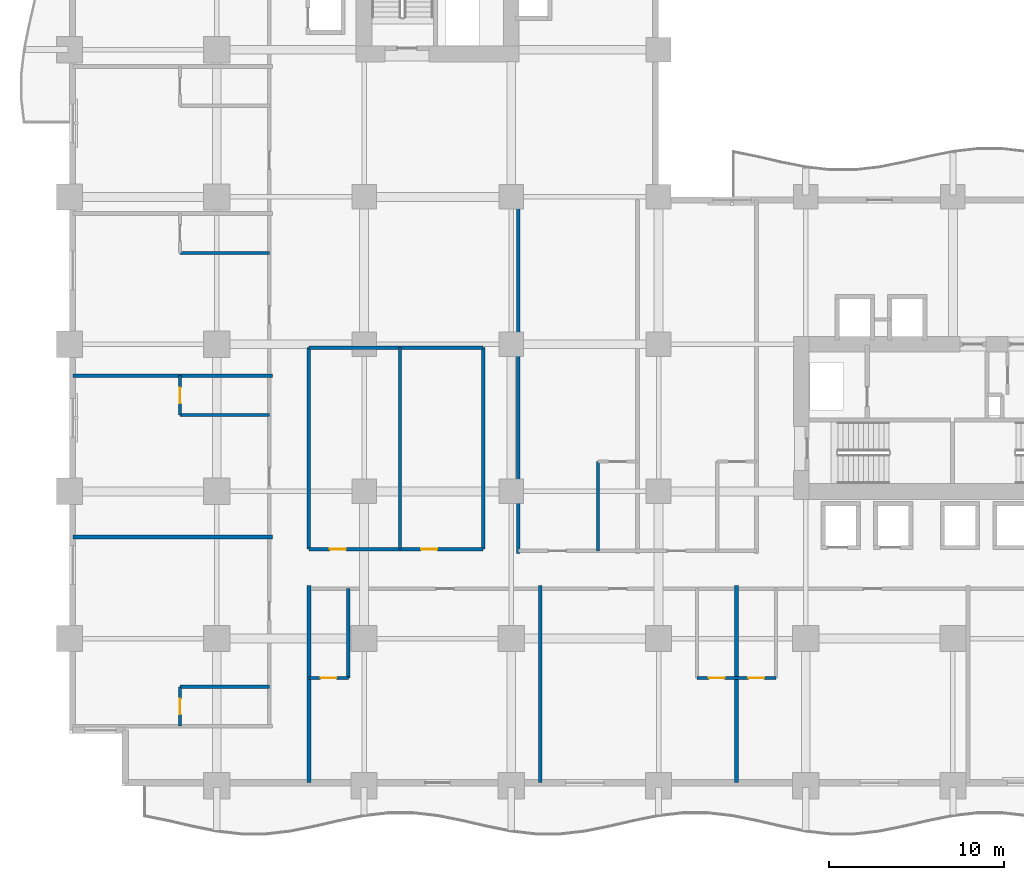
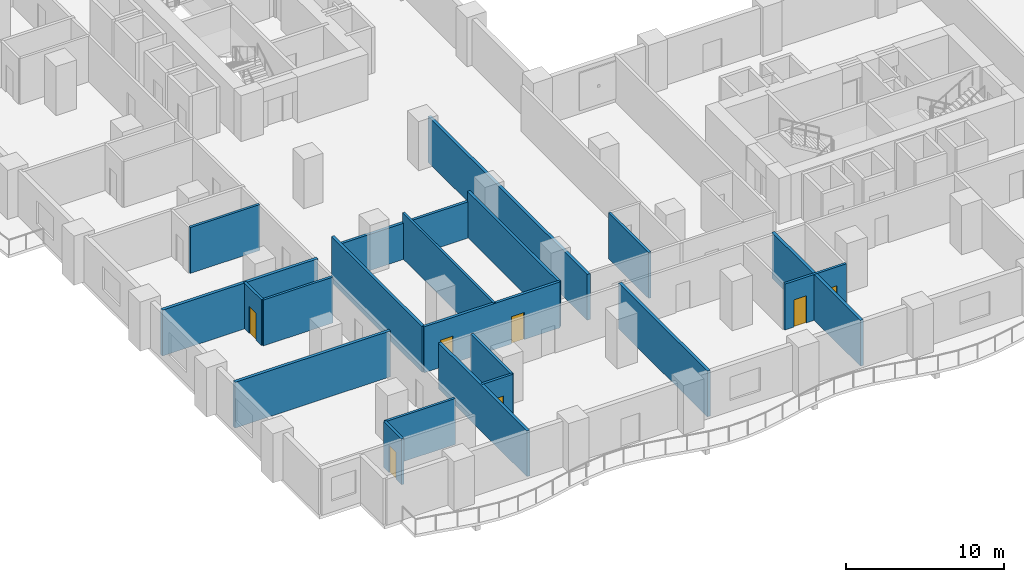
# One storey, part 4 of 22: 20 walls, 7 doors, 7 openings.
"""IFC4 building model written with IfcOpenShell, lengths in metres."""

from ifc_helpers import new_model, si_unit, direction, frame, frame_2d, origin, place, context, subcontext, project, spatial, rectangle, extrude, material, layer, layer_set, type_object, element, fill, save


model = new_model("IFC4")

# Units and contexts
model_context = context("Model", 3, precision=1e-05, world=origin(), true_north=direction((0.0, 1.0)))
body_context = subcontext(model_context, "Body", "Model", "MODEL_VIEW")
ifc_project = project(units=[si_unit("LENGTHUNIT", "METRE"), si_unit("AREAUNIT", "SQUARE_METRE"), si_unit("VOLUMEUNIT", "CUBIC_METRE"), si_unit("PLANEANGLEUNIT", "RADIAN"), si_unit("MASSUNIT", "GRAM", prefix="KILO")], contexts=[model_context])

# Site, building, storey
site_placement = place(None, origin())
site = spatial("IfcSite", under=ifc_project, at=site_placement, CompositionType="ELEMENT")
building_placement = place(site_placement, origin())
building = spatial("IfcBuilding", under=site, at=building_placement, Name="Koriwani Terraces Tower", CompositionType="ELEMENT")
storey_placement = place(building_placement, frame((0.0, 0.0, 43.39990234375)))
storey = spatial("IfcBuildingStorey", under=building, at=storey_placement, Name="L09", CompositionType="ELEMENT", Elevation=43.39990234375)

# Wall, openings, doors
ifc_material_1 = material(Name="Autoclaved Cellular Concrete Blockwork", Category="masonry")
ifc_layer_1 = layer(ifc_material_1, 0.199951171875, Name="Autoclaved Cellular Concrete Blockwork")
ifc_layer_set_1 = layer_set([ifc_layer_1], Name="Autoclaved Cellular Concrete Blockwork")
wall_type_1 = type_object("IfcWallType", Name="WALL_CORRIDOR_200", PredefinedType="PARTITIONING", material=ifc_layer_set_1)
wall_1_placement = place(storey_placement, frame((13.64990234375, 13.5, 0.0), z_axis=(0.0, 0.0, 1.0), x_axis=(1.0, 0.0, 0.0)))
wall_1 = element("IfcWall", 1, at=wall_1_placement, inside=storey, type_object=wall_type_1, Name="L09 Interior Wall WHK-L09-S", PredefinedType="PARTITIONING", context=body_context, shape_type="SweptSolid", body=[
    extrude(rectangle(XDim=9.9501953125, YDim=0.199951171875, at=frame_2d((4.97509765625, 0.0))), origin(), (0.0, 0.0, 1.0), 3.550048828125),
])
opening_1_placement = place(wall_1_placement, frame((1.199951171875, 0.0, 0.0)))
opening_1 = element("IfcOpeningElement", 2, at=opening_1_placement, cuts=wall_1, Name="Opening D-06", PredefinedType="OPENING", context=body_context, shape_type="SweptSolid", body=[
    extrude(rectangle(XDim=0.919921875, YDim=2.10009765625, at=frame_2d((0.4599609375, 1.050048828125))), frame((0.0, 0.10986328125, 0.0), z_axis=(0.0, -1.0, 0.0), x_axis=(1.0, 0.0, 0.0)), (0.0, 0.0, 1.0), 0.219970703125),
])
opening_2_placement = place(wall_1_placement, frame((6.39990234375, 0.0, 0.0)))
opening_2 = element("IfcOpeningElement", 3, at=opening_2_placement, cuts=wall_1, Name="Opening D-06", PredefinedType="OPENING", context=body_context, shape_type="SweptSolid", body=[
    extrude(rectangle(XDim=0.919921875, YDim=2.10009765625, at=frame_2d((0.4599609375, 1.050048828125))), frame((0.0, 0.10986328125, 0.0), z_axis=(0.0, -1.0, 0.0), x_axis=(1.0, 0.0, 0.0)), (0.0, 0.0, 1.0), 0.219970703125),
])
ifc_material_2 = material(Name="Architectural Oak Fire Door", Category="wood")
door_type_1 = type_object("IfcDoorType", Name="DOOR_ROOM_INT_920X2100", OperationType="NOTDEFINED", PredefinedType="DOOR", material=ifc_material_2)
door_1_placement = place(opening_1_placement, origin())
door_1 = element("IfcDoor", 4, at=door_1_placement, inside=storey, type_object=door_type_1, Name="L09 Housekeeping and Linen Room Door", OperationType="SINGLE_SWING_LEFT", OverallHeight=2.10009765625, OverallWidth=0.919921875, PredefinedType="DOOR", context=body_context, shape_type="SweptSolid", body=[
    extrude(rectangle(XDim=0.919921875, YDim=2.10009765625, at=frame_2d((0.4599609375, 1.050048828125))), frame((0.0, 0.02490234375, 0.0), z_axis=(0.0, -1.0, 0.0), x_axis=(1.0, 0.0, 0.0)), (0.0, 0.0, 1.0), 0.050048828125),
])
fill(opening_1, door_1)
door_2_placement = place(opening_2_placement, origin())
door_2 = element("IfcDoor", 5, at=door_2_placement, inside=storey, type_object=door_type_1, Name="L09 Guest Study Lounge Door", OperationType="SINGLE_SWING_RIGHT", OverallHeight=2.10009765625, OverallWidth=0.919921875, PredefinedType="DOOR", context=body_context, shape_type="SweptSolid", body=[
    extrude(rectangle(XDim=0.919921875, YDim=2.10009765625, at=frame_2d((0.4599609375, 1.050048828125))), frame((0.0, 0.02490234375, 0.0), z_axis=(0.0, -1.0, 0.0), x_axis=(1.0, 0.0, 0.0)), (0.0, 0.0, 1.0), 0.050048828125),
])
fill(opening_2, door_2)

# Walls
wall_2_placement = place(storey_placement, frame((13.64990234375, 25.0, 0.0), z_axis=(0.0, 0.0, 1.0), x_axis=(1.0, 0.0, 0.0)))
element("IfcWall", 6, at=wall_2_placement, inside=storey, type_object=wall_type_1, Name="L09 Interior Wall WHK-L09-N", PredefinedType="PARTITIONING", context=body_context, shape_type="SweptSolid", body=[
    extrude(rectangle(XDim=9.9501953125, YDim=0.199951171875, at=frame_2d((4.97509765625, 0.0))), origin(), (0.0, 0.0, 1.0), 2.800048828125),
])
for number, where, z_axis, x_axis, name in (
    (7, (13.64990234375, 13.5, 0.0), (0.0, 0.0, 1.0), (0.0, 1.0, 0.0), "L09 Interior Wall WHK-L09-W"),
    (8, (23.60009765625, 13.5, 0.0), (0.0, 0.0, 1.0), (0.0, 1.0, 0.0), "L09 Interior Wall WHK-L09-E"),
):
    element("IfcWall", number, at=place(storey_placement, frame(where, z_axis=z_axis, x_axis=x_axis)), inside=storey, type_object=wall_type_1, Name=name, PredefinedType="PARTITIONING", context=body_context, shape_type="SweptSolid", body=[
        extrude(rectangle(XDim=11.5, YDim=0.199951171875, at=frame_2d((5.75, 0.0))), origin(), (0.0, 0.0, 1.0), 3.550048828125),
    ])
ifc_layer_2 = layer(ifc_material_1, 0.219970703125, Name="Autoclaved Cellular Concrete Blockwork")
ifc_layer_set_2 = layer_set([ifc_layer_2], Name="Autoclaved Cellular Concrete Blockwork")
wall_type_2 = type_object("IfcWallType", Name="WALL_DEMISING_220", PredefinedType="PARTITIONING", material=ifc_layer_set_2)
wall_3_placement = place(storey_placement, frame((25.60009765625, 13.25, 0.0), z_axis=(0.0, 0.0, 1.0), x_axis=(0.0, 1.0, 0.0)))
element("IfcWall", 9, at=wall_3_placement, inside=storey, type_object=wall_type_2, Name="L09 Interior Wall WDEM-L09-SWI-0", PredefinedType="PARTITIONING", context=body_context, shape_type="SweptSolid", body=[
    extrude(rectangle(XDim=20.179931640625, YDim=0.219970703125, at=frame_2d((10.08984375, 0.0))), origin(), (0.0, 0.0, 1.0), 3.550048828125),
])
for number, where, z_axis, x_axis, name in (
    (10, (0.199951171875, 14.199951171875, 0.0), (0.0, 0.0, 1.0), (1.0, 0.0, 0.0), "L09 Interior Wall WDEM-L09-NW-1"),
    (11, (0.199951171875, 23.39990234375, 0.0), (0.0, 0.0, 1.0), (1.0, 0.0, 0.0), "L09 Interior Wall WDEM-L09-NW-2"),
):
    element("IfcWall", number, at=place(storey_placement, frame(where, z_axis=z_axis, x_axis=x_axis)), inside=storey, type_object=wall_type_2, Name=name, PredefinedType="PARTITIONING", context=body_context, shape_type="SweptSolid", body=[
        extrude(rectangle(XDim=11.380126953125, YDim=0.219970703125, at=frame_2d((5.68994140625, 0.0))), origin(), (0.0, 0.0, 1.0), 3.550048828125),
    ])
for number, where, z_axis, x_axis, name in (
    (12, (13.64990234375, 0.199951171875, 0.0), (0.0, 0.0, 1.0), (0.0, 1.0, 0.0), "L09 Interior Wall WDEM-L09-SW-0"),
    (13, (26.85009765625, 0.199951171875, 0.0), (0.0, 0.0, 1.0), (0.0, 1.0, 0.0), "L09 Interior Wall WDEM-L09-SW-1"),
    (14, (38.050048828125, 0.199951171875, 0.0), (0.0, 0.0, 1.0), (0.0, 1.0, 0.0), "L09 Interior Wall WDEM-L09-SW-2"),
):
    element("IfcWall", number, at=place(storey_placement, frame(where, z_axis=z_axis, x_axis=x_axis)), inside=storey, type_object=wall_type_2, Name=name, PredefinedType="PARTITIONING", context=body_context, shape_type="SweptSolid", body=[
        extrude(rectangle(XDim=11.22998046875, YDim=0.219970703125, at=frame_2d((5.614990234375, 0.0))), origin(), (0.0, 0.0, 1.0), 3.550048828125),
    ])
ifc_material_3 = material(Name="Fire-Rated Acoustic Gypsum Partition", Category="masonry")
ifc_layer_3 = layer(ifc_material_3, 0.179931640625, Name="Fire-Rated Acoustic Gypsum Partition")
ifc_layer_set_3 = layer_set([ifc_layer_3], Name="Fire-Rated Acoustic Gypsum Partition")
wall_type_3 = type_object("IfcWallType", Name="WALL_PLUMBING_180", PredefinedType="PLUMBINGWALL", material=ifc_layer_set_3)
wall_4_placement = place(storey_placement, frame((30.14990234375, 13.39990234375, 0.0), z_axis=(0.0, 0.0, 1.0), x_axis=(0.0, 1.0, 0.0)))
element("IfcWall", 15, at=wall_4_placement, inside=storey, type_object=wall_type_3, Name="L09 Interior Wall WBTH2-L09-SWI-0", PredefinedType="PLUMBINGWALL", context=body_context, shape_type="SweptSolid", body=[
    extrude(rectangle(XDim=5.10009765625, YDim=0.179931640625, at=frame_2d((2.550048828125, 0.0))), origin(), (0.0, 0.0, 1.0), 3.550048828125),
])

# Wall, opening, door
wall_5_placement = place(storey_placement, frame((6.300048828125, 3.39990234375, 0.0), z_axis=(0.0, 0.0, 1.0), x_axis=(0.0, 1.0, 0.0)))
wall_5 = element("IfcWall", 16, at=wall_5_placement, inside=storey, type_object=wall_type_3, Name="L09 Interior Wall WBTH1-L09-NW-0", PredefinedType="PLUMBINGWALL", context=body_context, shape_type="SweptSolid", body=[
    extrude(rectangle(XDim=2.25, YDim=0.179931640625, at=frame_2d((1.125, 0.0))), origin(), (0.0, 0.0, 1.0), 3.550048828125),
])
opening_3_placement = place(wall_5_placement, frame((0.675048828125, 0.0, 0.0)))
opening_3 = element("IfcOpeningElement", 17, at=opening_3_placement, cuts=wall_5, Name="Opening D-07", PredefinedType="OPENING", context=body_context, shape_type="SweptSolid", body=[
    extrude(rectangle(XDim=0.89990234375, YDim=2.10009765625, at=frame_2d((0.449951171875, 1.050048828125))), frame((0.0, 0.10009765625, 0.0), z_axis=(0.0, -1.0, 0.0), x_axis=(1.0, 0.0, 0.0)), (0.0, 0.0, 1.0), 0.199951171875),
])
door_type_2 = type_object("IfcDoorType", Name="DOOR_BATH_INT_900X2100", OperationType="NOTDEFINED", PredefinedType="DOOR", material=ifc_material_2)
door_3_placement = place(opening_3_placement, origin())
door_3 = element("IfcDoor", 18, at=door_3_placement, inside=storey, type_object=door_type_2, Name="En-Suite Bathroom 09NW1 Door", OperationType="SINGLE_SWING_RIGHT", OverallHeight=2.10009765625, OverallWidth=0.89990234375, PredefinedType="DOOR", context=body_context, shape_type="SweptSolid", body=[
    extrude(rectangle(XDim=0.89990234375, YDim=2.10009765625, at=frame_2d((0.449951171875, 1.050048828125))), frame((0.0, 0.02490234375, 0.0), z_axis=(0.0, -1.0, 0.0), x_axis=(1.0, 0.0, 0.0)), (0.0, 0.0, 1.0), 0.050048828125),
])
fill(opening_3, door_3)

# Wall
wall_6_placement = place(storey_placement, frame((6.300048828125, 5.64990234375, 0.0), z_axis=(0.0, 0.0, 1.0), x_axis=(1.0, 0.0, 0.0)))
element("IfcWall", 19, at=wall_6_placement, inside=storey, type_object=wall_type_3, Name="L09 Interior Wall WBTH2-L09-NW-0", PredefinedType="PLUMBINGWALL", context=body_context, shape_type="SweptSolid", body=[
    extrude(rectangle(XDim=5.099853515625, YDim=0.179931640625, at=frame_2d((2.5498046875, 0.0))), origin(), (0.0, 0.0, 1.0), 3.550048828125),
])

# Wall, opening, door
wall_7_placement = place(storey_placement, frame((6.300048828125, 21.14990234375, 0.0), z_axis=(0.0, 0.0, 1.0), x_axis=(0.0, 1.0, 0.0)))
wall_7 = element("IfcWall", 20, at=wall_7_placement, inside=storey, type_object=wall_type_3, Name="L09 Interior Wall WBTH1-L09-NW-1", PredefinedType="PLUMBINGWALL", context=body_context, shape_type="SweptSolid", body=[
    extrude(rectangle(XDim=2.25, YDim=0.179931640625, at=frame_2d((1.125, 0.0))), origin(), (0.0, 0.0, 1.0), 3.550048828125),
])
opening_4_placement = place(wall_7_placement, frame((0.675048828125, 0.0, 0.0)))
opening_4 = element("IfcOpeningElement", 21, at=opening_4_placement, cuts=wall_7, Name="Opening D-07", PredefinedType="OPENING", context=body_context, shape_type="SweptSolid", body=[
    extrude(rectangle(XDim=0.89990234375, YDim=2.10009765625, at=frame_2d((0.449951171875, 1.050048828125))), frame((0.0, 0.10009765625, 0.0), z_axis=(0.0, -1.0, 0.0), x_axis=(1.0, 0.0, 0.0)), (0.0, 0.0, 1.0), 0.199951171875),
])
door_4_placement = place(opening_4_placement, origin())
door_4 = element("IfcDoor", 22, at=door_4_placement, inside=storey, type_object=door_type_2, Name="En-Suite Bathroom 09NW2 Door", OperationType="SINGLE_SWING_RIGHT", OverallHeight=2.10009765625, OverallWidth=0.89990234375, PredefinedType="DOOR", context=body_context, shape_type="SweptSolid", body=[
    extrude(rectangle(XDim=0.89990234375, YDim=2.10009765625, at=frame_2d((0.449951171875, 1.050048828125))), frame((0.0, 0.02490234375, 0.0), z_axis=(0.0, -1.0, 0.0), x_axis=(1.0, 0.0, 0.0)), (0.0, 0.0, 1.0), 0.050048828125),
])
fill(opening_4, door_4)

# Walls
for number, where, z_axis, x_axis, name in (
    (23, (6.300048828125, 21.14990234375, 0.0), (0.0, 0.0, 1.0), (1.0, 0.0, 0.0), "L09 Interior Wall WBTH2-L09-NW-1"),
    (24, (6.300048828125, 30.39990234375, 0.0), (0.0, 0.0, 1.0), (1.0, 0.0, 0.0), "L09 Interior Wall WBTH2-L09-NW-2"),
):
    element("IfcWall", number, at=place(storey_placement, frame(where, z_axis=z_axis, x_axis=x_axis)), inside=storey, type_object=wall_type_3, Name=name, PredefinedType="PLUMBINGWALL", context=body_context, shape_type="SweptSolid", body=[
        extrude(rectangle(XDim=5.099853515625, YDim=0.179931640625, at=frame_2d((2.5498046875, 0.0))), origin(), (0.0, 0.0, 1.0), 3.550048828125),
    ])

# Wall, opening, door
wall_8_placement = place(storey_placement, frame((13.64990234375, 6.14990234375, 0.0), z_axis=(0.0, 0.0, 1.0), x_axis=(1.0, 0.0, 0.0)))
wall_8 = element("IfcWall", 25, at=wall_8_placement, inside=storey, type_object=wall_type_3, Name="L09 Interior Wall WBTH1-L09-SW-0", PredefinedType="PLUMBINGWALL", context=body_context, shape_type="SweptSolid", body=[
    extrude(rectangle(XDim=2.25, YDim=0.179931640625, at=frame_2d((1.125, 0.0))), origin(), (0.0, 0.0, 1.0), 3.550048828125),
])
opening_5_placement = place(wall_8_placement, frame((0.675048828125, 0.0, 0.0)))
opening_5 = element("IfcOpeningElement", 26, at=opening_5_placement, cuts=wall_8, Name="Opening D-07", PredefinedType="OPENING", context=body_context, shape_type="SweptSolid", body=[
    extrude(rectangle(XDim=0.89990234375, YDim=2.10009765625, at=frame_2d((0.449951171875, 1.050048828125))), frame((0.0, 0.10009765625, 0.0), z_axis=(0.0, -1.0, 0.0), x_axis=(1.0, 0.0, 0.0)), (0.0, 0.0, 1.0), 0.199951171875),
])
door_5_placement = place(opening_5_placement, origin())
door_5 = element("IfcDoor", 27, at=door_5_placement, inside=storey, type_object=door_type_2, Name="En-Suite Bathroom 09SW1 Door", OperationType="SINGLE_SWING_RIGHT", OverallHeight=2.10009765625, OverallWidth=0.89990234375, PredefinedType="DOOR", context=body_context, shape_type="SweptSolid", body=[
    extrude(rectangle(XDim=0.89990234375, YDim=2.10009765625, at=frame_2d((0.449951171875, 1.050048828125))), frame((0.0, 0.02490234375, 0.0), z_axis=(0.0, -1.0, 0.0), x_axis=(1.0, 0.0, 0.0)), (0.0, 0.0, 1.0), 0.050048828125),
])
fill(opening_5, door_5)

# Wall
wall_9_placement = place(storey_placement, frame((15.89990234375, 6.14990234375, 0.0), z_axis=(0.0, 0.0, 1.0), x_axis=(0.0, 1.0, 0.0)))
element("IfcWall", 28, at=wall_9_placement, inside=storey, type_object=wall_type_3, Name="L09 Interior Wall WBTH2-L09-SW-0", PredefinedType="PLUMBINGWALL", context=body_context, shape_type="SweptSolid", body=[
    extrude(rectangle(XDim=5.10009765625, YDim=0.179931640625, at=frame_2d((2.550048828125, 0.0))), origin(), (0.0, 0.0, 1.0), 3.550048828125),
])

# Wall, openings, doors
wall_10_placement = place(storey_placement, frame((35.800048828125, 6.14990234375, 0.0), z_axis=(0.0, 0.0, 1.0), x_axis=(1.0, 0.0, 0.0)))
wall_10 = element("IfcWall", 29, at=wall_10_placement, inside=storey, type_object=wall_type_3, Name="L09 Interior Wall WBTH1-L09-SW-1", PredefinedType="PLUMBINGWALL", context=body_context, shape_type="SweptSolid", body=[
    extrude(rectangle(XDim=4.5, YDim=0.179931640625, at=frame_2d((2.25, 0.0))), origin(), (0.0, 0.0, 1.0), 3.550048828125),
])
opening_6_placement = place(wall_10_placement, frame((0.675048828125, 0.0, 0.0)))
opening_6 = element("IfcOpeningElement", 30, at=opening_6_placement, cuts=wall_10, Name="Opening D-07", PredefinedType="OPENING", context=body_context, shape_type="SweptSolid", body=[
    extrude(rectangle(XDim=0.89990234375, YDim=2.10009765625, at=frame_2d((0.449951171875, 1.050048828125))), frame((0.0, 0.10009765625, 0.0), z_axis=(0.0, -1.0, 0.0), x_axis=(1.0, 0.0, 0.0)), (0.0, 0.0, 1.0), 0.199951171875),
])
opening_7_placement = place(wall_10_placement, frame((2.925048828125, 0.0, 0.0)))
opening_7 = element("IfcOpeningElement", 31, at=opening_7_placement, cuts=wall_10, Name="Opening D-07", PredefinedType="OPENING", context=body_context, shape_type="SweptSolid", body=[
    extrude(rectangle(XDim=0.89990234375, YDim=2.10009765625, at=frame_2d((0.449951171875, 1.050048828125))), frame((0.0, 0.10009765625, 0.0), z_axis=(0.0, -1.0, 0.0), x_axis=(1.0, 0.0, 0.0)), (0.0, 0.0, 1.0), 0.199951171875),
])
door_6_placement = place(opening_6_placement, origin())
door_6 = element("IfcDoor", 32, at=door_6_placement, inside=storey, type_object=door_type_2, Name="En-Suite Bathroom 09SW2 Door", OperationType="SINGLE_SWING_RIGHT", OverallHeight=2.10009765625, OverallWidth=0.89990234375, PredefinedType="DOOR", context=body_context, shape_type="SweptSolid", body=[
    extrude(rectangle(XDim=0.89990234375, YDim=2.10009765625, at=frame_2d((0.449951171875, 1.050048828125))), frame((0.0, 0.02490234375, 0.0), z_axis=(0.0, -1.0, 0.0), x_axis=(1.0, 0.0, 0.0)), (0.0, 0.0, 1.0), 0.050048828125),
])
fill(opening_6, door_6)
door_7_placement = place(opening_7_placement, origin())
door_7 = element("IfcDoor", 33, at=door_7_placement, inside=storey, type_object=door_type_2, Name="En-Suite Bathroom 09SW3 Door", OperationType="SINGLE_SWING_RIGHT", OverallHeight=2.10009765625, OverallWidth=0.89990234375, PredefinedType="DOOR", context=body_context, shape_type="SweptSolid", body=[
    extrude(rectangle(XDim=0.89990234375, YDim=2.10009765625, at=frame_2d((0.449951171875, 1.050048828125))), frame((0.0, 0.02490234375, 0.0), z_axis=(0.0, -1.0, 0.0), x_axis=(1.0, 0.0, 0.0)), (0.0, 0.0, 1.0), 0.050048828125),
])
fill(opening_7, door_7)

# Wall
ifc_layer_4 = layer(ifc_material_3, 0.159912109375, Name="Fire-Rated Acoustic Gypsum Partition")
ifc_layer_set_4 = layer_set([ifc_layer_4], Name="Fire-Rated Acoustic Gypsum Partition")
wall_type_4 = type_object("IfcWallType", Name="WALL_SUITE_160", PredefinedType="PARTITIONING", material=ifc_layer_set_4)
wall_11_placement = place(storey_placement, frame((18.85009765625, 13.5, 0.0), z_axis=(0.0, 0.0, 1.0), x_axis=(0.0, 1.0, 0.0)))
element("IfcWall", 34, at=wall_11_placement, inside=storey, type_object=wall_type_4, Name="L09 Interior Wall WHK-L09-M", PredefinedType="PARTITIONING", context=body_context, shape_type="SweptSolid", body=[
    extrude(rectangle(XDim=11.5, YDim=0.159912109375, at=frame_2d((5.75, 0.0))), origin(), (0.0, 0.0, 1.0), 3.550048828125),
])

save(model, "model.ifc")
